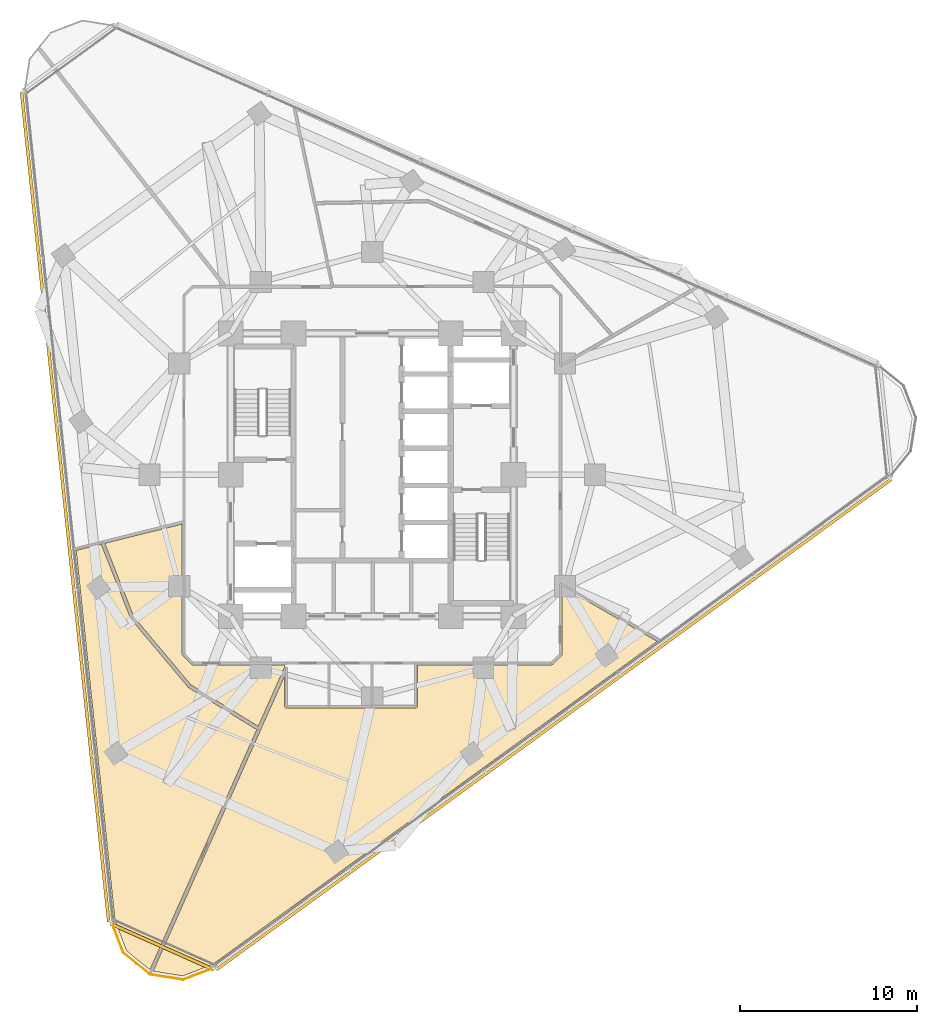
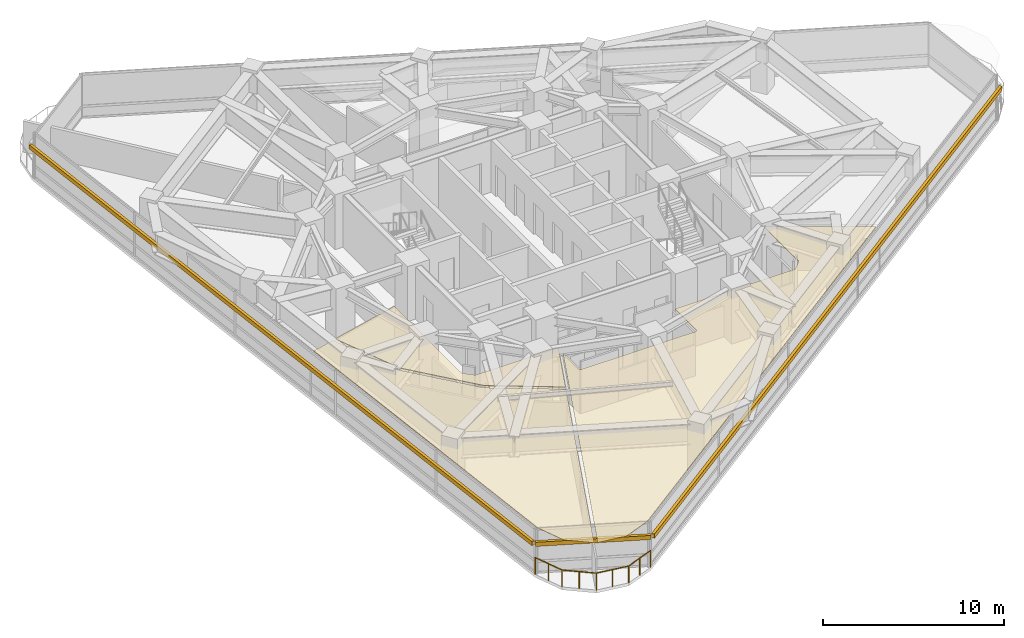
# One storey, part 12 of 14: 3 coverings, 3 shading devices, 1 railing.
"""IFC4 building model written with IfcOpenShell, lengths in metres."""

from ifc_helpers import new_model, si_unit, direction, frame, origin, origin_2d, place, context, subcontext, project, spatial, polyline, rectangle, circle, outline, extrude, material, layer, layer_set, type_object, element, save


model = new_model("IFC4")

# Units and contexts
model_context = context("Model", 3, precision=1e-05, world=origin(), true_north=direction((0.0, 1.0)))
body_context = subcontext(model_context, "Body", "Model", "MODEL_VIEW")
ifc_project = project(units=[si_unit("LENGTHUNIT", "METRE"), si_unit("AREAUNIT", "SQUARE_METRE"), si_unit("VOLUMEUNIT", "CUBIC_METRE"), si_unit("PLANEANGLEUNIT", "RADIAN"), si_unit("MASSUNIT", "GRAM", prefix="KILO")], contexts=[model_context])

# Site, building, storey
site_placement = place(None, origin())
site = spatial("IfcSite", under=ifc_project, at=site_placement, CompositionType="ELEMENT")
building_placement = place(site_placement, origin())
building = spatial("IfcBuilding", under=site, at=building_placement, Name="Terralouvre Media Tower", CompositionType="ELEMENT")
storey_placement = place(building_placement, frame((0.0, 0.0, 180.5)))
storey = spatial("IfcBuildingStorey", under=building, at=storey_placement, Name="L46", CompositionType="ELEMENT", Elevation=180.5)

# Coverings
ifc_material_1 = material(Name="Perforated aluminium acoustic ceiling baffle", Category="aluminium")
ifc_layer_1 = layer(ifc_material_1, 0.0400390625, Name="Perforated Acoustic Metal Tile Ceiling CL-AC1")
ifc_layer_set_1 = layer_set([ifc_layer_1], Name="Perforated aluminium acoustic ceiling baffle")
covering_type = type_object("IfcCoveringType", Name="Perforated Acoustic Metal Tile Ceiling CL-AC1", PredefinedType="CEILING", material=ifc_layer_set_1)
covering_1_placement = place(storey_placement, frame((0.0, 0.0, 2.97998046875), z_axis=(0.0, 0.0, 1.0), x_axis=(0.809016994375, 0.587785252292, 0.0)))
element("IfcCovering", 1, at=covering_1_placement, inside=storey, type_object=covering_type, Name="L46 Data Visualization Workspace 1 Acoustic Ceiling", PredefinedType="CEILING", context=body_context, shape_type="SweptSolid", body=[
    extrude(outline(polyline([(-15.635009765625, 1.413818359375), (-15.286376953125, -3.576416015625), (-13.58154296875, -7.725341796875), (-10.394775390625, -5.8857421875), (-10.3232421875, -5.787353515625), (-14.5302734375, -2.73095703125), (-14.537841796875, -2.724853515625), (-14.544921875, -2.718017578125), (-14.55126953125, -2.71044921875), (-14.556640625, -2.7021484375), (-14.561279296875, -2.693603515625), (-14.565185546875, -2.6845703125), (-14.568115234375, -2.67529296875), (-14.570068359375, -2.665771484375), (-14.680908203125, -1.96728515625), (-14.681884765625, -1.95751953125), (-14.681884765625, -1.94775390625), (-14.68115234375, -1.93798828125), (-14.67919921875, -1.92822265625), (-14.676513671875, -1.918701171875), (-14.6728515625, -1.90966796875), (-14.668212890625, -1.901123046875), (-14.662841796875, -1.892822265625), (-10.332763671875, 4.067138671875), (-14.524169921875, 5.759765625), (-15.635009765625, 1.413818359375)])), origin(), (0.0, 0.0, 1.0), 0.0400390625),
])
covering_2_placement = place(storey_placement, frame((0.0, 0.0, 2.97998046875), z_axis=(0.0, 0.0, 1.0), x_axis=(0.809016994375, 0.587785252292, 0.0)))
element("IfcCovering", 2, at=covering_2_placement, inside=storey, type_object=covering_type, Name="L46 UX Sprint Project Conference Room 2 Acoustic Ceiling", PredefinedType="CEILING", context=body_context, shape_type="SweptSolid", body=[
    extrude(outline(polyline([(-15.4775390625, -3.637451171875), (-15.48095703125, -3.627197265625), (-15.4833984375, -3.616943359375), (-15.484619140625, -3.6064453125), (-15.835693359375, 1.416015625), (-15.835693359375, 1.4267578125), (-15.834716796875, 1.4375), (-15.832763671875, 1.44775390625), (-14.71142578125, 5.83544921875), (-16.065673828125, 6.38330078125), (-26.59912109375, -11.860107421875), (-27.072509765625, -13.62548828125), (-26.6337890625, -15.26220703125), (-13.756103515625, -7.826171875), (-15.4775390625, -3.637451171875)])), origin(), (0.0, 0.0, 1.0), 0.0400390625),
])
covering_3_placement = place(storey_placement, frame((0.0, 0.0, 2.97998046875), z_axis=(0.0, 0.0, 1.0), x_axis=(0.809016994375, 0.587785252292, 0.0)))
element("IfcCovering", 3, at=covering_3_placement, inside=storey, type_object=covering_type, Name="L46 Design Critique Boardroom 3 Acoustic Ceiling", PredefinedType="CEILING", context=body_context, shape_type="SweptSolid", body=[
    extrude(outline(polyline([(2.73095703125, -14.5302734375), (2.724853515625, -14.537841796875), (2.718017578125, -14.544921875), (2.71044921875, -14.55126953125), (2.7021484375, -14.556640625), (2.693603515625, -14.561279296875), (2.6845703125, -14.565185546875), (2.67529296875, -14.568115234375), (2.665771484375, -14.570068359375), (1.96728515625, -14.680908203125), (1.95751953125, -14.681884765625), (1.94775390625, -14.681884765625), (1.93798828125, -14.68115234375), (1.92822265625, -14.67919921875), (1.918701171875, -14.676513671875), (1.90966796875, -14.6728515625), (1.901123046875, -14.668212890625), (1.892822265625, -14.662841796875), (-4.255615234375, -10.19580078125), (-5.636962890625, -12.096923828125), (-5.64306640625, -12.1044921875), (-5.64990234375, -12.111572265625), (-5.657470703125, -12.117919921875), (-5.665771484375, -12.12353515625), (-5.67431640625, -12.128173828125), (-5.683349609375, -12.132080078125), (-5.692626953125, -12.135009765625), (-5.7021484375, -12.136962890625), (-5.712158203125, -12.137939453125), (-5.7216796875, -12.13818359375), (-5.731689453125, -12.13720703125), (-5.7412109375, -12.135498046875), (-5.750732421875, -12.132568359375), (-5.759765625, -12.12890625), (-5.7685546875, -12.12451171875), (-5.776611328125, -12.119140625), (-11.6826171875, -7.828369140625), (-11.690185546875, -7.822021484375), (-11.697265625, -7.815185546875), (-11.703369140625, -7.807861328125), (-11.708984375, -7.799560546875), (-11.713623046875, -7.791015625), (-11.717529296875, -7.781982421875), (-11.720458984375, -7.772705078125), (-11.722412109375, -7.762939453125), (-11.7236328125, -7.753173828125), (-11.7236328125, -7.743408203125), (-11.72265625, -7.733642578125), (-11.720947265625, -7.72412109375), (-11.71826171875, -7.714599609375), (-11.714599609375, -7.70556640625), (-11.7099609375, -7.69677734375), (-11.70458984375, -7.6884765625), (-10.683837890625, -6.28369140625), (-13.58056640625, -7.955810546875), (-26.53369140625, -15.435302734375), (-25.3359375, -16.632568359375), (-23.571044921875, -17.10546875), (7.505859375, -17.105224609375), (4.98095703125, -11.433349609375), (2.73095703125, -14.5302734375)])), origin(), (0.0, 0.0, 1.0), 0.0400390625),
])

# Railing
ifc_material_2 = material(Name="Stainless steel 316 handrail and balustrade", Category="steel")
ifc_layer_2 = layer(ifc_material_2, 0.06005859375, Name="Roof Edge Safety Guardrail GR-ROOF1")
ifc_layer_set_2 = layer_set([ifc_layer_2], Name="Stainless steel 316 handrail and balustrade")
railing_type = type_object("IfcRailingType", Name="Roof Edge Safety Guardrail GR-ROOF1", PredefinedType="GUARDRAIL", material=ifc_layer_set_2)
railing_placement = place(storey_placement, frame((-14.756103515625, -25.268798828125, 0.0)))
element("IfcRailing", 4, at=railing_placement, inside=storey, type_object=railing_type, Name="L46 Wind-Corner Perimeter Safety Guardrail C0", PredefinedType="GUARDRAIL", context=body_context, shape_type="SweptSolid", body=[
    extrude(circle(Radius=0.02099609375, at=origin_2d()), frame((0.0, 0.0, 1.12890625), z_axis=(0.358184292829, -0.933650904981, 0.0), x_axis=(0.933650904981, 0.358184292829, 0.0)), (0.0, 0.0, 1.0), 1.91455078125),
    extrude(circle(Radius=0.02099609375, at=origin_2d()), frame((0.685791015625, -1.78759765625, 1.12890625), z_axis=(0.777022086472, -0.62947333314, 0.0), x_axis=(0.62947333314, 0.777022086472, 0.0)), (0.0, 0.0, 1.0), 1.914306640625),
    extrude(circle(Radius=0.02099609375, at=origin_2d()), frame((2.17333984375, -2.99267578125, 1.12890625), z_axis=(0.987721569441, -0.156224521958, 0.0), x_axis=(0.156224521958, 0.987721569441, 0.0)), (0.0, 0.0, 1.0), 1.914306640625),
    extrude(circle(Radius=0.02099609375, at=origin_2d()), frame((4.064208984375, -3.291748046875, 1.12890625), z_axis=(0.933506543973, 0.358560360832, 0.0), x_axis=(-0.358560360832, 0.933506543973, 0.0)), (0.0, 0.0, 1.0), 1.91455078125),
    extrude(circle(Radius=0.01904296875, at=origin_2d()), origin(), (0.0, 0.0, 1.0), 1.10791015625),
    extrude(circle(Radius=0.01904296875, at=origin_2d()), frame((0.3427734375, -0.893798828125, 0.0)), (0.0, 0.0, 1.0), 1.10791015625),
    extrude(circle(Radius=0.01904296875, at=origin_2d()), frame((0.685791015625, -1.78759765625, 0.0)), (0.0, 0.0, 1.0), 1.10791015625),
    extrude(circle(Radius=0.01904296875, at=origin_2d()), frame((1.4296875, -2.39013671875, 0.0)), (0.0, 0.0, 1.0), 1.10791015625),
    extrude(circle(Radius=0.01904296875, at=origin_2d()), frame((2.17333984375, -2.99267578125, 0.0)), (0.0, 0.0, 1.0), 1.10791015625),
    extrude(circle(Radius=0.01904296875, at=origin_2d()), frame((3.11865234375, -3.14208984375, 0.0)), (0.0, 0.0, 1.0), 1.10791015625),
    extrude(circle(Radius=0.01904296875, at=origin_2d()), frame((4.064208984375, -3.291748046875, 0.0)), (0.0, 0.0, 1.0), 1.10791015625),
    extrude(circle(Radius=0.01904296875, at=origin_2d()), frame((4.9580078125, -2.948486328125, 0.0)), (0.0, 0.0, 1.0), 1.10791015625),
    extrude(circle(Radius=0.01904296875, at=origin_2d()), frame((5.8515625, -2.605224609375, 0.0)), (0.0, 0.0, 1.0), 1.10791015625),
])

# Shading devices
ifc_material_3 = material(Name="Extruded terracotta baguette sunshade louvres", Category="masonry")
shading_device_type = type_object("IfcShadingDeviceType", Name="Terracotta Baguette Sunshade Louvre Screen TB-LV1", PredefinedType="USERDEFINED", material=ifc_material_3)
for number, where, z_axis, x_axis, name in (
    (5, (10.265869140625, -14.1298828125, 2.02392578125), (0.0, 0.0, 1.0), (0.809016917383, 0.587785358263, 0.0), "CW-L46-F0 Terracotta Baguette Sunshade Louvre"),
    (6, (-17.369873046875, -1.82568359375, 2.02392578125), (0.0, 0.0, 1.0), (0.104528376236, -0.994521904516, 0.0), "CW-L46-F2 Terracotta Baguette Sunshade Louvre"),
):
    element("IfcShadingDevice", number, at=place(storey_placement, frame(where, z_axis=z_axis, x_axis=x_axis)), inside=storey, type_object=shading_device_type, Name=name, ObjectType="BAGUETTE", PredefinedType="USERDEFINED", context=body_context, shape_type="SweptSolid", body=[
        extrude(rectangle(XDim=47.199951171875, YDim=0.179931640625, at=origin_2d()), origin(), (0.0, 0.0, 1.0), 0.280029296875),
    ])
shading_device_placement = place(storey_placement, frame((-11.88525390625, -26.694580078125, 2.02392578125), z_axis=(0.0, 0.0, 1.0), x_axis=(0.913545408199, -0.406736754128, 0.0)))
element("IfcShadingDevice", 7, at=shading_device_placement, inside=storey, type_object=shading_device_type, Name="CW-L46-C0 Terracotta Baguette Sunshade Louvre", ObjectType="BAGUETTE", PredefinedType="USERDEFINED", context=body_context, shape_type="SweptSolid", body=[
    extrude(rectangle(XDim=6.40869140625, YDim=0.179931640625, at=origin_2d()), origin(), (0.0, 0.0, 1.0), 0.280029296875),
])

save(model, "model.ifc")
